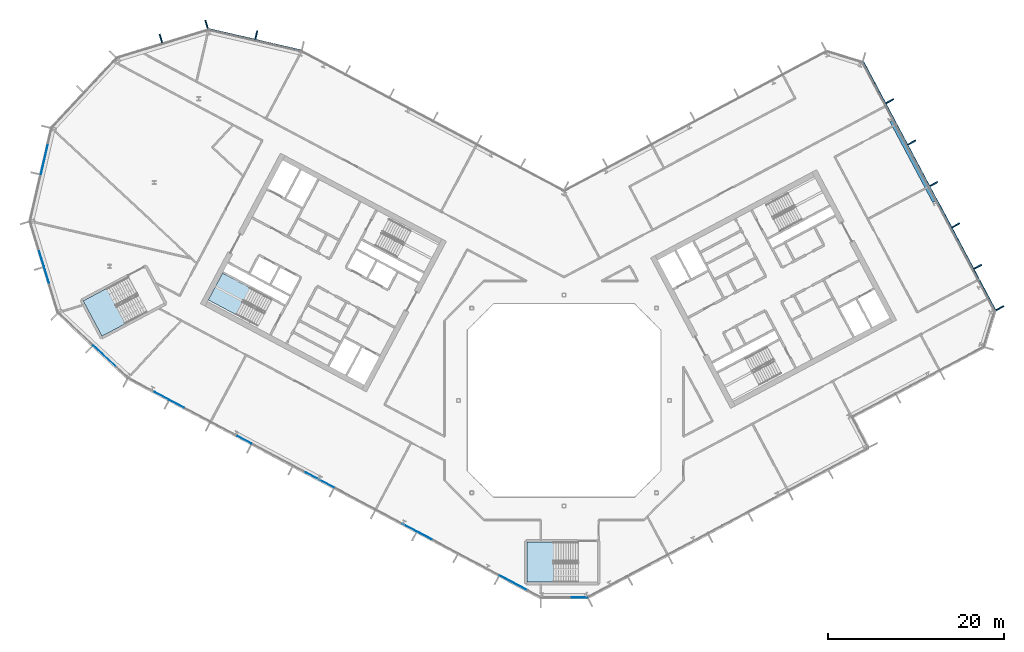
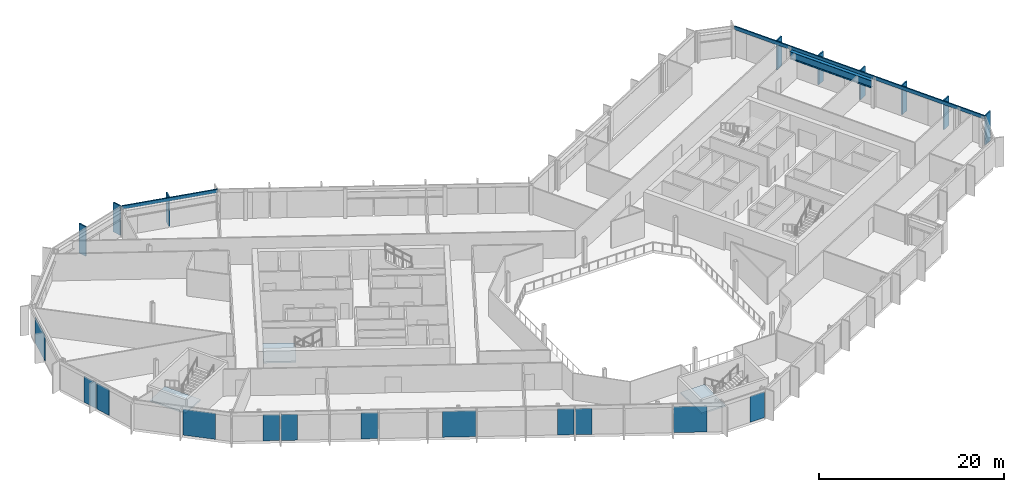
# One storey, part 10 of 27: 12 plates, 11 members, 3 slabs, 1 beam, 11 elements without a shape of their own.
"""IFC4 building model written with IfcOpenShell, lengths in metres."""

from ifc_helpers import new_model, si_unit, direction, frame, origin, origin_2d, place, context, subcontext, project, spatial, polyline, rectangle, i_section, outline, extrude, material, layer, layer_set, material_profile, profile_set, type_object, element, aggregate, save


model = new_model("IFC4")

# Units and contexts
model_context = context("Model", 3, precision=1e-05, world=origin(), true_north=direction((0.0, 1.0)))
body_context = subcontext(model_context, "Body", "Model", "MODEL_VIEW")
ifc_project = project(units=[si_unit("LENGTHUNIT", "METRE"), si_unit("AREAUNIT", "SQUARE_METRE"), si_unit("VOLUMEUNIT", "CUBIC_METRE"), si_unit("PLANEANGLEUNIT", "RADIAN"), si_unit("MASSUNIT", "GRAM", prefix="KILO")], contexts=[model_context])

# Site, building, storey
site_placement = place(None, origin())
site = spatial("IfcSite", under=ifc_project, at=site_placement, CompositionType="ELEMENT")
building_placement = place(site_placement, origin())
building = spatial("IfcBuilding", under=site, at=building_placement, Name="Cormorant Relay Tower", CompositionType="ELEMENT")
storey_placement = place(building_placement, frame((0.0, 0.0, 240.300048828125)))
storey = spatial("IfcBuildingStorey", under=building, at=storey_placement, Name="L53", CompositionType="ELEMENT", Elevation=240.300048828125)

# Curtain wall, members
ifc_material_1 = material(Name="Aluminium 6063-T6 anodised bronze", Category="aluminium")
ifc_layer_1 = layer(ifc_material_1, 0.199951171875)
ifc_layer_set_1 = layer_set([ifc_layer_1], Name="CW1 unitised bronze curtain wall with vertical fins")
curtain_wall_type = type_object("IfcCurtainWallType", Name="CW1 unitised bronze curtain wall with vertical fins", PredefinedType="NOTDEFINED", material=ifc_layer_set_1)
curtain_wall_1_placement = place(storey_placement, origin())
curtain_wall_1 = element("IfcCurtainWall", 1, at=curtain_wall_1_placement, inside=storey, type_object=curtain_wall_type, Name="CW1 curtain wall 6", PredefinedType="NOTDEFINED")
ifc_material_2 = material(Name="Aluminium 6063-T6 anodised bronze", Category="aluminium")
ifc_material_profile_1 = material_profile(ifc_material_2, rectangle(XDim=0.14990234375, YDim=1.0, at=origin_2d()), Name="AL 150x1000")
ifc_profile_set_1 = profile_set([ifc_material_profile_1], Name="Aluminium 6063-T6 anodised bronze")
member_type_1 = type_object("IfcMemberType", Name="CW1 bronze fin mullion 150 x 1000", PredefinedType="MULLION", material=ifc_profile_set_1)
member_1_placement = place(storey_placement, frame((49.572021484375, 10.501953125, 0.0), z_axis=(0.0, 0.0, 1.0), x_axis=(-0.469471562786, 0.882947592859, 0.0)))
member_1 = element("IfcMember", 2, at=member_1_placement, type_object=member_type_1, Name="CW1 fin 6.1", PredefinedType="MULLION", context=body_context, shape_type="SweptSolid", body=[
    extrude(rectangle(XDim=0.14990234375, YDim=1.0, at=origin_2d()), origin(), (0.0, 0.0, 1.0), 3.89990234375),
])
member_2_placement = place(storey_placement, frame((47.068359375, 15.211181640625, 0.0), z_axis=(0.0, 0.0, 1.0), x_axis=(-0.469471562786, 0.882947592859, 0.0)))
member_2 = element("IfcMember", 3, at=member_2_placement, type_object=member_type_1, Name="CW1 fin 6.2", PredefinedType="MULLION", context=body_context, shape_type="SweptSolid", body=[
    extrude(rectangle(XDim=0.14990234375, YDim=1.0, at=origin_2d()), origin(), (0.0, 0.0, 1.0), 3.89990234375),
])
member_3_placement = place(storey_placement, frame((44.564453125, 19.920166015625, 0.0), z_axis=(0.0, 0.0, 1.0), x_axis=(-0.469471562786, 0.882947592859, 0.0)))
member_3 = element("IfcMember", 4, at=member_3_placement, type_object=member_type_1, Name="CW1 fin 6.3", PredefinedType="MULLION", context=body_context, shape_type="SweptSolid", body=[
    extrude(rectangle(XDim=0.14990234375, YDim=1.0, at=origin_2d()), origin(), (0.0, 0.0, 1.0), 3.89990234375),
])
member_4_placement = place(storey_placement, frame((42.060546875, 24.629150390625, 0.0), z_axis=(0.0, 0.0, 1.0), x_axis=(-0.469471562786, 0.882947592859, 0.0)))
member_4 = element("IfcMember", 5, at=member_4_placement, type_object=member_type_1, Name="CW1 fin 6.4", PredefinedType="MULLION", context=body_context, shape_type="SweptSolid", body=[
    extrude(rectangle(XDim=0.14990234375, YDim=1.0, at=origin_2d()), origin(), (0.0, 0.0, 1.0), 3.89990234375),
])
member_5_placement = place(storey_placement, frame((39.556884765625, 29.338134765625, 0.0), z_axis=(0.0, 0.0, 1.0), x_axis=(-0.469471562786, 0.882947592859, 0.0)))
member_5 = element("IfcMember", 6, at=member_5_placement, type_object=member_type_1, Name="CW1 fin 6.5", PredefinedType="MULLION", context=body_context, shape_type="SweptSolid", body=[
    extrude(rectangle(XDim=0.14990234375, YDim=1.0, at=origin_2d()), origin(), (0.0, 0.0, 1.0), 3.89990234375),
])
member_6_placement = place(storey_placement, frame((37.052978515625, 34.04736328125, 0.0), z_axis=(0.0, 0.0, 1.0), x_axis=(-0.469471562786, 0.882947592859, 0.0)))
member_6 = element("IfcMember", 7, at=member_6_placement, type_object=member_type_1, Name="CW1 fin 6.6", PredefinedType="MULLION", context=body_context, shape_type="SweptSolid", body=[
    extrude(rectangle(XDim=0.14990234375, YDim=1.0, at=origin_2d()), origin(), (0.0, 0.0, 1.0), 3.89990234375),
])

# Curtain wall, member
curtain_wall_2_placement = place(storey_placement, origin())
curtain_wall_2 = element("IfcCurtainWall", 8, at=curtain_wall_2_placement, inside=storey, type_object=curtain_wall_type, Name="CW1 curtain wall 10", PredefinedType="NOTDEFINED")
member_7_placement = place(storey_placement, frame((-35.01220703125, 41.57275390625, 0.0), z_axis=(0.0, 0.0, 1.0), x_axis=(-0.974370064785, 0.224951054344, 0.0)))
member_7 = element("IfcMember", 9, at=member_7_placement, type_object=member_type_1, Name="CW1 fin 10.2", PredefinedType="MULLION", context=body_context, shape_type="SweptSolid", body=[
    extrude(rectangle(XDim=0.14990234375, YDim=1.0, at=origin_2d()), origin(), (0.0, 0.0, 1.0), 3.89990234375),
])

# Curtain wall, members
curtain_wall_3_placement = place(storey_placement, origin())
curtain_wall_3 = element("IfcCurtainWall", 10, at=curtain_wall_3_placement, inside=storey, type_object=curtain_wall_type, Name="CW1 curtain wall 11", PredefinedType="NOTDEFINED")
member_8_placement = place(storey_placement, frame((-40.670166015625, 42.78271484375, 0.0), z_axis=(0.0, 0.0, 1.0), x_axis=(-0.956304755963, -0.292371704723, 0.0)))
member_8 = element("IfcMember", 11, at=member_8_placement, type_object=member_type_1, Name="CW1 fin 11.1", PredefinedType="MULLION", context=body_context, shape_type="SweptSolid", body=[
    extrude(rectangle(XDim=0.14990234375, YDim=1.0, at=origin_2d()), origin(), (0.0, 0.0, 1.0), 3.89990234375),
])
member_9_placement = place(storey_placement, frame((-45.867919921875, 41.193603515625, 0.0), z_axis=(0.0, 0.0, 1.0), x_axis=(-0.956304755963, -0.292371704723, 0.0)))
member_9 = element("IfcMember", 12, at=member_9_placement, type_object=member_type_1, Name="CW1 fin 11.2", PredefinedType="MULLION", context=body_context, shape_type="SweptSolid", body=[
    extrude(rectangle(XDim=0.14990234375, YDim=1.0, at=origin_2d()), origin(), (0.0, 0.0, 1.0), 3.89990234375),
])
aggregate(curtain_wall_3, [member_8, member_9])

# Member
ifc_material_3 = material(Name="Aluminium 6063-T6 anodised bronze", Category="aluminium")
ifc_material_profile_2 = material_profile(ifc_material_3, rectangle(XDim=0.159912109375, YDim=0.449951171875, at=origin_2d()), Name="AL 160x450")
ifc_profile_set_2 = profile_set([ifc_material_profile_2], Name="Aluminium 6063-T6 anodised bronze")
member_type_2 = type_object("IfcMemberType", Name="CW1 bronze transom 160 x 450", PredefinedType="USERDEFINED", material=ifc_profile_set_2)
member_10_placement = place(storey_placement, frame((49.06005859375, 10.229736328125, 3.675048828125), z_axis=(-0.46947036835, 0.882948227951, 0.0), x_axis=(-0.882948227951, -0.46947036835, 0.0)))
member_10 = element("IfcMember", 13, at=member_10_placement, type_object=member_type_2, Name="CW1 transom 6", ObjectType="TRANSOM", PredefinedType="USERDEFINED", context=body_context, shape_type="SweptSolid", body=[
    extrude(rectangle(XDim=0.159912109375, YDim=0.449951171875, at=origin_2d()), origin(), (0.0, 0.0, 1.0), 31.999755859375),
])

aggregate(curtain_wall_1, [member_1, member_2, member_3, member_4, member_5, member_6, member_10])

member_11_placement = place(storey_placement, frame((-29.8466796875, 39.784912109375, 3.675048828125), z_axis=(-0.974365070969, 0.224972683844, 0.0), x_axis=(-0.224972683844, -0.974365070969, 0.0)))
member_11 = element("IfcMember", 14, at=member_11_placement, type_object=member_type_2, Name="CW1 transom 10", ObjectType="TRANSOM", PredefinedType="USERDEFINED", context=body_context, shape_type="SweptSolid", body=[
    extrude(rectangle(XDim=0.159912109375, YDim=0.449951171875, at=origin_2d()), origin(), (0.0, 0.0, 1.0), 10.870361328125),
])

aggregate(curtain_wall_2, [member_7, member_11])

# Beam
ifc_material_4 = material(Name="Steel ASTM A992 (Fy 345 MPa)", Category="steel")
ifc_material_profile_3 = material_profile(ifc_material_4, i_section(OverallWidth=0.4013671875, OverallDepth=0.990478515625, WebThickness=0.0166015625, FlangeThickness=0.031005859375, FilletRadius=0.030029296875, at=origin_2d()), Name="W1000x320")
ifc_profile_set_3 = profile_set([ifc_material_profile_3], Name="Steel ASTM A992 (Fy 345 MPa)")
beam_type = type_object("IfcBeamType", Name="Spandrel W1000x320", PredefinedType="SPANDREL", material=ifc_profile_set_3)
beam_placement = place(storey_placement, frame((42.109619140625, 22.61865234375, 3.044677734375), z_axis=(-0.469476269233, 0.882945090381, 0.0), x_axis=(-0.882945090381, -0.469476269233, 0.0)))
element("IfcBeam", 15, at=beam_placement, inside=storey, type_object=beam_type, Name="Spandrel beam L53-006", PredefinedType="SPANDREL", context=body_context, shape_type="SweptSolid", body=[
    extrude(i_section(OverallWidth=0.4013671875, OverallDepth=0.990478515625, WebThickness=0.0166015625, FlangeThickness=0.031005859375, FilletRadius=0.030029296875, at=origin_2d()), origin(), (0.0, 0.0, 1.0), 10.396484375),
])

# Curtain wall, plate
curtain_wall_4_placement = place(storey_placement, origin())
curtain_wall_4 = element("IfcCurtainWall", 16, at=curtain_wall_4_placement, inside=storey, type_object=curtain_wall_type, Name="CW1 curtain wall 1", PredefinedType="NOTDEFINED")
ifc_material_5 = material(Name="Tinted laminated glass", Category="glass")
ifc_layer_2 = layer(ifc_material_5, 0.0400390625)
ifc_layer_set_2 = layer_set([ifc_layer_2], Name="CW1 tinted vision panel 1800 module")
plate_type_1 = type_object("IfcPlateType", Name="CW1 tinted vision panel 1800 module", PredefinedType="CURTAIN_PANEL", material=ifc_layer_set_2)
plate_1_placement = place(storey_placement, frame((1.748779296875, -22.3955078125, 0.0), z_axis=(0.0, 0.0, 1.0), x_axis=(1.0, 0.0, 0.0)))
plate_1 = element("IfcPlate", 17, at=plate_1_placement, type_object=plate_type_1, Name="CW1 panel V01", PredefinedType="CURTAIN_PANEL", context=body_context, shape_type="SweptSolid", body=[
    extrude(rectangle(XDim=1.800048828125, YDim=0.0400390625, at=origin_2d()), origin(), (0.0, 0.0, 1.0), 3.449951171875),
])
aggregate(curtain_wall_4, [plate_1])

# Curtain wall, plates
curtain_wall_5_placement = place(storey_placement, origin())
curtain_wall_5 = element("IfcCurtainWall", 18, at=curtain_wall_5_placement, inside=storey, type_object=curtain_wall_type, Name="CW1 curtain wall 14", PredefinedType="NOTDEFINED")
plate_2_placement = place(storey_placement, frame((-59.434814453125, 16.122314453125, 0.0), z_axis=(0.0, 0.0, 1.0), x_axis=(0.292371704723, -0.956304755963, 0.0)))
plate_2 = element("IfcPlate", 19, at=plate_2_placement, type_object=plate_type_1, Name="CW1 panel V01", PredefinedType="CURTAIN_PANEL", context=body_context, shape_type="SweptSolid", body=[
    extrude(rectangle(XDim=1.800048828125, YDim=0.0400390625, at=origin_2d()), origin(), (0.0, 0.0, 1.0), 3.449951171875),
])
plate_3_placement = place(storey_placement, frame((-58.86474609375, 14.25732421875, 0.0), z_axis=(0.0, 0.0, 1.0), x_axis=(0.292371704723, -0.956304755963, 0.0)))
plate_3 = element("IfcPlate", 20, at=plate_3_placement, type_object=plate_type_1, Name="CW1 panel V02", PredefinedType="CURTAIN_PANEL", context=body_context, shape_type="SweptSolid", body=[
    extrude(rectangle(XDim=1.800048828125, YDim=0.0400390625, at=origin_2d()), origin(), (0.0, 0.0, 1.0), 3.449951171875),
])
aggregate(curtain_wall_5, [plate_2, plate_3])

curtain_wall_6_placement = place(storey_placement, origin())
curtain_wall_6 = element("IfcCurtainWall", 21, at=curtain_wall_6_placement, inside=storey, type_object=curtain_wall_type, Name="CW1 curtain wall 16", PredefinedType="NOTDEFINED")
plate_4_placement = place(storey_placement, frame((-45.767578125, 0.5283203125, 0.0), z_axis=(0.0, 0.0, 1.0), x_axis=(0.882947592859, -0.469471562786, 0.0)))
plate_4 = element("IfcPlate", 22, at=plate_4_placement, type_object=plate_type_1, Name="CW1 panel V01", PredefinedType="CURTAIN_PANEL", context=body_context, shape_type="SweptSolid", body=[
    extrude(rectangle(XDim=1.800048828125, YDim=0.0400390625, at=origin_2d()), origin(), (0.0, 0.0, 1.0), 3.449951171875),
])
plate_5_placement = place(storey_placement, frame((-44.0458984375, -0.38720703125, 0.0), z_axis=(0.0, 0.0, 1.0), x_axis=(0.882947592859, -0.469471562786, 0.0)))
plate_5 = element("IfcPlate", 23, at=plate_5_placement, type_object=plate_type_1, Name="CW1 panel V02", PredefinedType="CURTAIN_PANEL", context=body_context, shape_type="SweptSolid", body=[
    extrude(rectangle(XDim=1.800048828125, YDim=0.0400390625, at=origin_2d()), origin(), (0.0, 0.0, 1.0), 3.449951171875),
])
plate_6_placement = place(storey_placement, frame((-36.37890625, -4.463623046875, 0.0), z_axis=(0.0, 0.0, 1.0), x_axis=(0.882947592859, -0.469471562786, 0.0)))
plate_6 = element("IfcPlate", 24, at=plate_6_placement, type_object=plate_type_1, Name="CW1 panel V04", PredefinedType="CURTAIN_PANEL", context=body_context, shape_type="SweptSolid", body=[
    extrude(rectangle(XDim=1.800048828125, YDim=0.0400390625, at=origin_2d()), origin(), (0.0, 0.0, 1.0), 3.449951171875),
])
plate_7_placement = place(storey_placement, frame((-17.601806640625, -14.447509765625, 0.0), z_axis=(0.0, 0.0, 1.0), x_axis=(0.882947592859, -0.469471562786, 0.0)))
plate_7 = element("IfcPlate", 25, at=plate_7_placement, type_object=plate_type_1, Name="CW1 panel V08", PredefinedType="CURTAIN_PANEL", context=body_context, shape_type="SweptSolid", body=[
    extrude(rectangle(XDim=1.800048828125, YDim=0.0400390625, at=origin_2d()), origin(), (0.0, 0.0, 1.0), 3.449951171875),
])
plate_8_placement = place(storey_placement, frame((-15.880126953125, -15.363037109375, 0.0), z_axis=(0.0, 0.0, 1.0), x_axis=(0.882947592859, -0.469471562786, 0.0)))
plate_8 = element("IfcPlate", 26, at=plate_8_placement, type_object=plate_type_1, Name="CW1 panel V09", PredefinedType="CURTAIN_PANEL", context=body_context, shape_type="SweptSolid", body=[
    extrude(rectangle(XDim=1.800048828125, YDim=0.0400390625, at=origin_2d()), origin(), (0.0, 0.0, 1.0), 3.449951171875),
])

# Curtain wall, plate
curtain_wall_7_placement = place(storey_placement, origin())
curtain_wall_7 = element("IfcCurtainWall", 27, at=curtain_wall_7_placement, inside=storey, type_object=curtain_wall_type, Name="CW1 curtain wall 13", PredefinedType="NOTDEFINED")
ifc_material_6 = material(Name="Tinted laminated glass", Category="glass")
ifc_layer_3 = layer(ifc_material_6, 0.0400390625)
ifc_layer_set_3 = layer_set([ifc_layer_3], Name="CW1 tinted vision panel 3600 module")
plate_type_2 = type_object("IfcPlateType", Name="CW1 tinted vision panel 3600 module", PredefinedType="CURTAIN_PANEL", material=ifc_layer_set_3)
plate_9_placement = place(storey_placement, frame((-59.094970703125, 27.520751953125, 0.0), z_axis=(0.0, 0.0, 1.0), x_axis=(-0.224951054344, -0.974370064785, 0.0)))
plate_9 = element("IfcPlate", 28, at=plate_9_placement, type_object=plate_type_2, Name="CW1 panel V01", PredefinedType="CURTAIN_PANEL", context=body_context, shape_type="SweptSolid", body=[
    extrude(rectangle(XDim=3.60009765625, YDim=0.0400390625, at=origin_2d()), origin(), (0.0, 0.0, 1.0), 3.449951171875),
])
aggregate(curtain_wall_7, [plate_9])

curtain_wall_8_placement = place(storey_placement, origin())
curtain_wall_8 = element("IfcCurtainWall", 29, at=curtain_wall_8_placement, inside=storey, type_object=curtain_wall_type, Name="CW1 curtain wall 15", PredefinedType="NOTDEFINED")
plate_10_placement = place(storey_placement, frame((-52.208984375, 4.997802734375, 0.0), z_axis=(0.0, 0.0, 1.0), x_axis=(0.731353701619, -0.681998360062, 0.0)))
plate_10 = element("IfcPlate", 30, at=plate_10_placement, type_object=plate_type_2, Name="CW1 panel V01", PredefinedType="CURTAIN_PANEL", context=body_context, shape_type="SweptSolid", body=[
    extrude(rectangle(XDim=3.60009765625, YDim=0.0400390625, at=origin_2d()), origin(), (0.0, 0.0, 1.0), 3.449951171875),
])
aggregate(curtain_wall_8, [plate_10])

# Plate
plate_11_placement = place(storey_placement, frame((-27.78515625, -9.032958984375, 0.0), z_axis=(0.0, 0.0, 1.0), x_axis=(0.882947592859, -0.469471562786, 0.0)))
plate_11 = element("IfcPlate", 31, at=plate_11_placement, type_object=plate_type_2, Name="CW1 panel V06", PredefinedType="CURTAIN_PANEL", context=body_context, shape_type="SweptSolid", body=[
    extrude(rectangle(XDim=3.60009765625, YDim=0.0400390625, at=origin_2d()), origin(), (0.0, 0.0, 1.0), 3.449951171875),
])

plate_12_placement = place(storey_placement, frame((-5.697021484375, -20.777587890625, 0.0), z_axis=(0.0, 0.0, 1.0), x_axis=(0.882947592859, -0.469471562786, 0.0)))
plate_12 = element("IfcPlate", 32, at=plate_12_placement, type_object=plate_type_2, Name="CW1 panel V11", PredefinedType="CURTAIN_PANEL", context=body_context, shape_type="SweptSolid", body=[
    extrude(rectangle(XDim=3.60009765625, YDim=0.0400390625, at=origin_2d()), origin(), (0.0, 0.0, 1.0), 3.449951171875),
])

aggregate(curtain_wall_6, [plate_4, plate_5, plate_6, plate_11, plate_7, plate_8, plate_12])

# Stair, slab
ifc_material_7 = material(Name="Concrete 40 MPa", Category="concrete")
stair_type_1 = type_object("IfcStairType", Name="Exit stair 1500", PredefinedType="HALF_TURN_STAIR", material=ifc_material_7)
stair_1_placement = place(storey_placement, origin())
stair_1 = element("IfcStair", 33, at=stair_1_placement, inside=storey, type_object=stair_type_1, Name="L53 Stair", PredefinedType="HALF_TURN_STAIR")
ifc_material_8 = material(Name="Concrete 40 MPa", Category="concrete")
ifc_layer_4 = layer(ifc_material_8, 0.199951171875)
ifc_layer_set_4 = layer_set([ifc_layer_4], Name="Exit stair landing 200")
slab_type = type_object("IfcSlabType", Name="Exit stair landing 200", PredefinedType="LANDING", material=ifc_layer_set_4)
slab_1_placement = place(storey_placement, frame((0.0, 0.0, 1.75)))
slab_1 = element("IfcSlab", 34, at=slab_1_placement, type_object=slab_type, Name="A2 landing 1", PredefinedType="LANDING", context=body_context, shape_type="SweptSolid", body=[
    extrude(outline(polyline([(-35.71337890625, 12.816650390625), (-38.84765625, 14.483154296875), (-40.467529296875, 11.43701171875), (-37.3330078125, 9.7705078125), (-35.71337890625, 12.816650390625)])), origin(), (0.0, 0.0, 1.0), 0.199951171875),
])
aggregate(stair_1, [slab_1])

ifc_material_9 = material(Name="Concrete 40 MPa", Category="concrete")
stair_type_2 = type_object("IfcStairType", Name="Remote exit stair 2200", PredefinedType="HALF_TURN_STAIR", material=ifc_material_9)
stair_2_placement = place(storey_placement, origin())
stair_2 = element("IfcStair", 35, at=stair_2_placement, inside=storey, type_object=stair_type_2, Name="L53 Stair", PredefinedType="HALF_TURN_STAIR")
slab_2_placement = place(storey_placement, frame((0.0, 0.0, 1.75)))
slab_2 = element("IfcSlab", 36, at=slab_2_placement, type_object=slab_type, Name="RK1 landing 1", PredefinedType="LANDING", context=body_context, shape_type="SweptSolid", body=[
    extrude(outline(polyline([(-1.199951171875, -16.125), (-4.199951171875, -16.125), (-4.199951171875, -20.675048828125), (-1.199951171875, -20.675048828125), (-1.199951171875, -16.125)])), origin(), (0.0, 0.0, 1.0), 0.199951171875),
])
aggregate(stair_2, [slab_2])

stair_3_placement = place(storey_placement, origin())
stair_3 = element("IfcStair", 37, at=stair_3_placement, inside=storey, type_object=stair_type_2, Name="L53 Stair", PredefinedType="HALF_TURN_STAIR")
slab_3_placement = place(storey_placement, frame((0.0, 0.0, 1.75)))
slab_3 = element("IfcSlab", 38, at=slab_3_placement, type_object=slab_type, Name="RP1 landing 1", PredefinedType="LANDING", context=body_context, shape_type="SweptSolid", body=[
    extrude(outline(polyline([(-52.051025390625, 12.7392578125), (-54.699951171875, 11.330810546875), (-52.563720703125, 7.3134765625), (-49.914794921875, 8.721923828125), (-52.051025390625, 12.7392578125)])), origin(), (0.0, 0.0, 1.0), 0.199951171875),
])
aggregate(stair_3, [slab_3])

save(model, "model.ifc")
